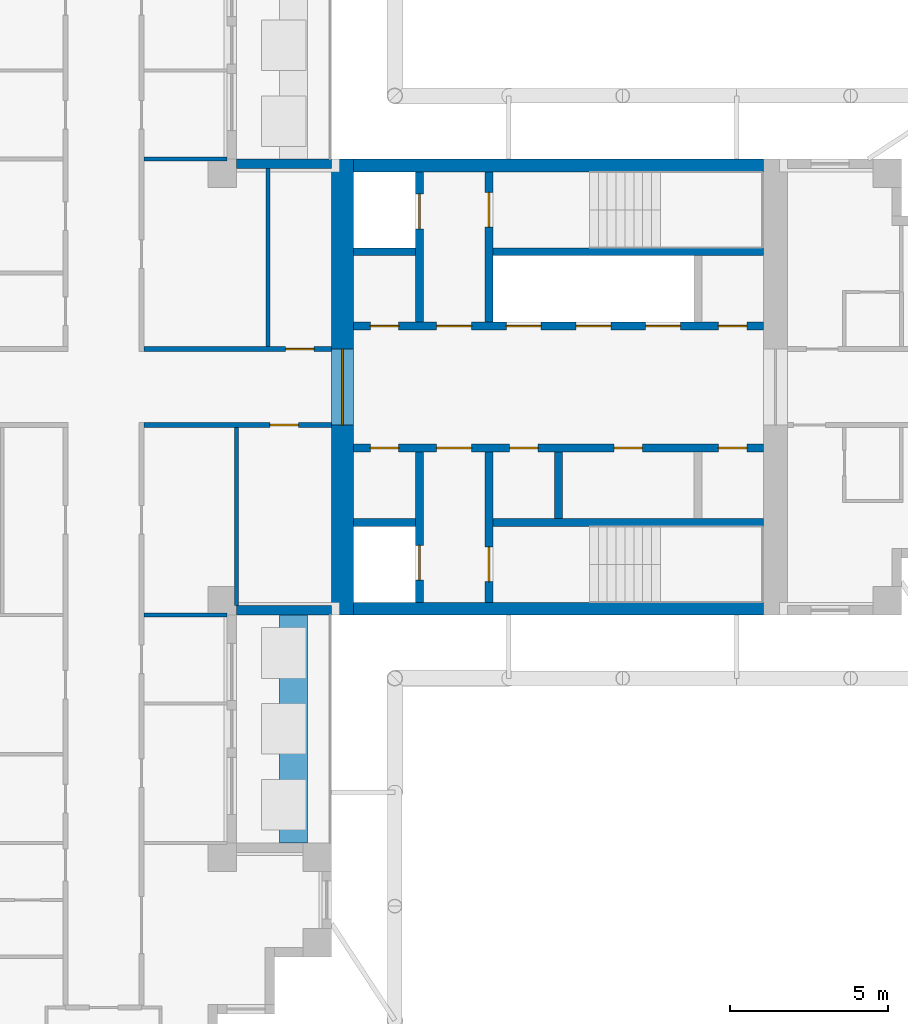
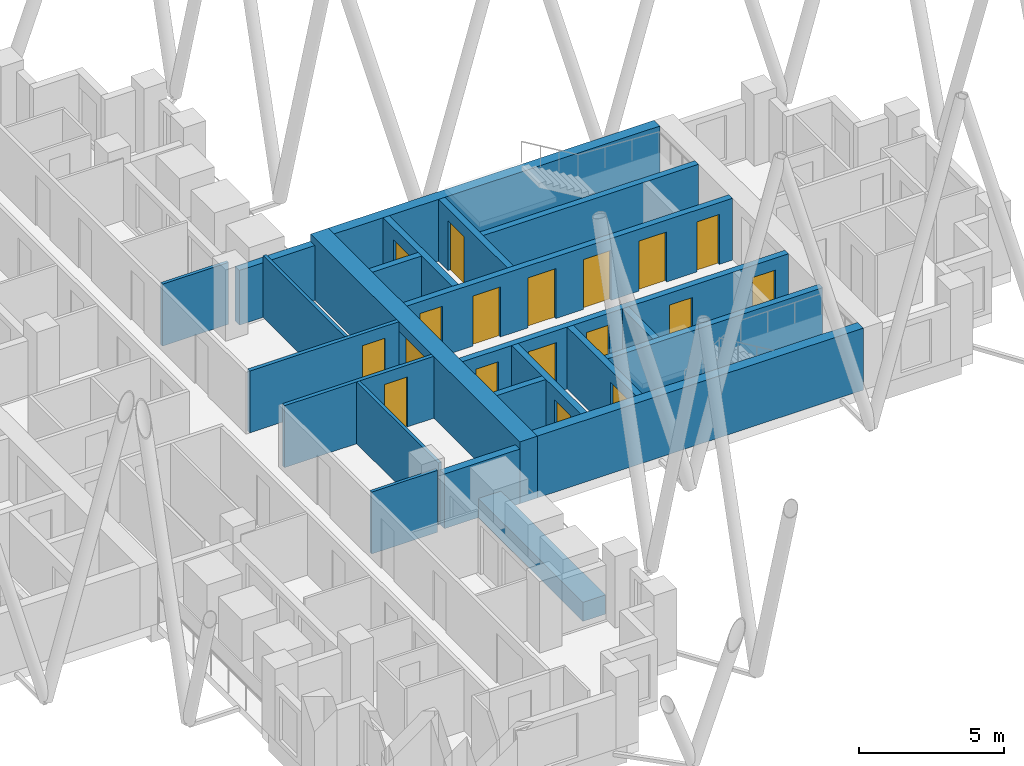
# One storey, part 6 of 11: 23 walls, 18 doors, 18 openings.
"""IFC4 building model written with IfcOpenShell, lengths in metres."""

import ifcopenshell
import ifcopenshell.guid

model = None  # the IFC model being written
_history = None  # IfcOwnerHistory: only IFC2X3 demands one
_inside = {}  # id of a spatial element -> (the spatial element, [elements in it])
_under = {}  # id of a project, library or spatial element -> (it, [spatial elements below it])
_declared = {}  # id of a project -> (the project, [libraries it declares])
_typed = {}  # id of a type object -> (the type object, [elements of that type])
_made_of = {}  # id of a material, layer set ... -> (it, [elements and type objects made of it])


def new_model(schema):
    """Start an empty IFC model of exactly this schema.

    Asked for "IFC4X3", IfcOpenShell would pick the latest addendum, in which some entities
    have other attributes; the version numbers below select the first issue.
    IFC2X3 requires an IfcOwnerHistory on every rooted entity: one is made here for all.
    """
    global model, _history
    if schema == "IFC4X3":
        model = ifcopenshell.file(schema_version=(4, 3, 0, 0))
    else:
        model = ifcopenshell.file(schema=schema)
    _inside.clear()
    _under.clear()
    _declared.clear()
    _typed.clear()
    _made_of.clear()
    _history = None
    if model.schema == "IFC2X3":
        org = make("IfcOrganization", Name="unknown")
        user = make(
            "IfcPersonAndOrganization",
            ThePerson=make("IfcPerson", FamilyName="unknown"),
            TheOrganization=org,
        )
        app = make(
            "IfcApplication",
            ApplicationDeveloper=org,
            Version="unknown",
            ApplicationFullName="unknown",
            ApplicationIdentifier="unknown",
        )
        _history = make(
            "IfcOwnerHistory",
            OwningUser=user,
            OwningApplication=app,
            ChangeAction="ADDED",
            CreationDate=0,
        )
    return model


def make(cls, **values):
    """One entity of the class cls with the attributes given. An attribute that is None is left unset."""
    return model.create_entity(
        cls, **{name: value for name, value in values.items() if value is not None}
    )


def rooted(cls, **values):
    """An entity with a GlobalId (a new one), such as an element, a storey or a relation."""
    return make(cls, GlobalId=ifcopenshell.guid.new(), OwnerHistory=_history, **values)


def si_unit(unit_type, name, prefix=None):
    """IfcSIUnit, for example si_unit("LENGTHUNIT", "METRE", prefix="MILLI")."""
    return make("IfcSIUnit", UnitType=unit_type, Prefix=prefix, Name=name)


def assignment(units):
    """IfcUnitAssignment: the units of a project."""
    return None if units is None else make("IfcUnitAssignment", Units=units)


def point(xyz):
    """IfcCartesianPoint."""
    return None if xyz is None else make("IfcCartesianPoint", Coordinates=xyz)


def direction(xyz):
    """IfcDirection."""
    return None if xyz is None else make("IfcDirection", DirectionRatios=xyz)


def frame(location, z_axis=None, x_axis=None):
    """IfcAxis2Placement3D, a coordinate frame: its origin and axes. An axis left out is left unset."""
    return make(
        "IfcAxis2Placement3D",
        Location=point(location),
        Axis=direction(z_axis),
        RefDirection=direction(x_axis),
    )


def frame_2d(location, x_axis=None):
    """IfcAxis2Placement2D, a coordinate frame in the plane: its origin and x axis."""
    return make(
        "IfcAxis2Placement2D", Location=point(location), RefDirection=direction(x_axis)
    )


def origin():
    """The frame at (0, 0, 0) with its axes left unset."""
    return frame((0.0, 0.0, 0.0))


def place(relative_to, where):
    """IfcLocalPlacement: puts the frame where relative to a parent placement (None: the world)."""
    return make(
        "IfcLocalPlacement", PlacementRelTo=relative_to, RelativePlacement=where
    )


def context(
    kind, dimensions, precision=None, world=None, true_north=None, identifier=None
):
    """IfcGeometricRepresentationContext, for example the 3D "Model" context."""
    return make(
        "IfcGeometricRepresentationContext",
        ContextIdentifier=identifier,
        ContextType=kind,
        CoordinateSpaceDimension=dimensions,
        Precision=precision,
        WorldCoordinateSystem=world,
        TrueNorth=true_north,
    )


def subcontext(parent, identifier, kind, view, scale=None):
    """IfcGeometricRepresentationSubContext, for example "Body" below "Model"."""
    return make(
        "IfcGeometricRepresentationSubContext",
        ContextIdentifier=identifier,
        ContextType=kind,
        ParentContext=parent,
        TargetScale=scale,
        TargetView=view,
    )


def project(units=None, contexts=None):
    """IfcProject with its units and contexts."""
    return rooted(
        "IfcProject",
        Name="project",
        RepresentationContexts=contexts,
        UnitsInContext=assignment(units),
    )


def spatial(cls, under=None, at=None, **own):
    """A site, building, storey or space (cls), placed at a placement, below another one or the project."""
    s = rooted(cls, ObjectPlacement=at, **own)
    if under is not None:
        _under.setdefault(under.id(), (under, []))[1].append(s)
    return s


def profile(cls, at=None, kind="AREA", **sizes):
    """A parametric profile (cls). Its sizes go by their IFC names, for example OverallWidth=200.0."""
    return make(cls, ProfileType=kind, Position=at, **sizes)


def rectangle(**sizes):
    """IfcRectangleProfileDef."""
    return profile("IfcRectangleProfileDef", **sizes)


def extrude(swept, where, along, depth):
    """IfcExtrudedAreaSolid: the profile swept, set in the frame where, extruded along a direction by depth."""
    return make(
        "IfcExtrudedAreaSolid",
        SweptArea=swept,
        Position=where,
        ExtrudedDirection=direction(along),
        Depth=depth,
    )


def shape(context_of_items, identifier, shape_type, items):
    """IfcShapeRepresentation: the items that make up one representation, for example the "Body"."""
    return make(
        "IfcShapeRepresentation",
        ContextOfItems=context_of_items,
        RepresentationIdentifier=identifier,
        RepresentationType=shape_type,
        Items=items,
    )


def material(Name=None, Category=None):
    """IfcMaterial."""
    return make("IfcMaterial", Name=Name, Category=Category)


def layer(
    of_material, thickness, ventilated=None, Name=None, Category=None, Priority=None
):
    """IfcMaterialLayer: one layer of a wall or slab, of a material (None: an air gap)."""
    return make(
        "IfcMaterialLayer",
        Material=of_material,
        LayerThickness=thickness,
        IsVentilated=ventilated,
        Name=Name,
        Category=Category,
        Priority=Priority,
    )


def layer_set(layers, Name=None):
    """IfcMaterialLayerSet."""
    return make("IfcMaterialLayerSet", MaterialLayers=layers, LayerSetName=Name)


def made_of(thing, what):
    """Note that an element or type object is made of a material, layer set ...; save() writes the relation."""
    if what is not None:
        _made_of.setdefault(what.id(), (what, []))[1].append(thing)
    return thing


def type_object(cls, material=None, **own):
    """A type object (cls), such as IfcWallType, which elements share."""
    return made_of(rooted(cls, **own), material)


def element(
    cls,
    number,
    at=None,
    inside=None,
    cuts=None,
    type_object=None,
    material=None,
    context=None,
    identifier="Body",
    shape_type=None,
    held_by="IfcProductDefinitionShape",
    body=None,
    shapes=None,
    **own,
):
    """One element of the class cls, such as IfcWall. Its Tag is "e" and its number.

    at: its placement. inside: the storey or other place that contains it. cuts: it is an
    opening in that element (IfcRelVoidsElement). A single representation is given by context,
    identifier, shape_type and body (its items); several are given by shapes. held_by: the class
    of the entity that holds the representations. save() writes the other relations.
    """
    e = rooted(cls, Tag="e%d" % number, ObjectPlacement=at, **own)
    if body is not None:
        shapes = [shape(context, identifier, shape_type, body)]
    if shapes is not None:
        e.Representation = make(held_by, Representations=shapes)
    if inside is not None:
        _inside.setdefault(inside.id(), (inside, []))[1].append(e)
    if cuts is not None:
        rooted(
            "IfcRelVoidsElement", RelatingBuildingElement=cuts, RelatedOpeningElement=e
        )
    if type_object is not None:
        _typed.setdefault(type_object.id(), (type_object, []))[1].append(e)
    return made_of(e, material)


def fill(opening, filler):
    """IfcRelFillsElement: the door or window that sits in an opening."""
    return rooted(
        "IfcRelFillsElement",
        RelatingOpeningElement=opening,
        RelatedBuildingElement=filler,
    )


def aggregate(whole, parts):
    """IfcRelAggregates: a whole, such as a stair, and the parts it consists of."""
    return rooted("IfcRelAggregates", RelatingObject=whole, RelatedObjects=parts)


def save(model, path):
    """Write the relations noted so far, then the file.

    IfcRelAggregates (storeys below a building ...), IfcRelContainedInSpatialStructure (elements
    in a storey), IfcRelDefinesByType, IfcRelAssociatesMaterial and IfcRelDeclares: one each for
    every whole, place, type object, material and project.
    """
    for whole, parts in _under.values():
        aggregate(whole, parts)
    for where, things in _inside.values():
        rooted(
            "IfcRelContainedInSpatialStructure",
            RelatedElements=things,
            RelatingStructure=where,
        )
    for kind, things in _typed.values():
        rooted("IfcRelDefinesByType", RelatedObjects=things, RelatingType=kind)
    for what, things in _made_of.values():
        rooted("IfcRelAssociatesMaterial", RelatedObjects=things, RelatingMaterial=what)
    for by, libraries in _declared.values():
        rooted("IfcRelDeclares", RelatingContext=by, RelatedDefinitions=libraries)
    model.write(path)


model = new_model("IFC4")

# Units and contexts
model_context = context("Model", 3, precision=1e-05, world=origin(), true_north=direction((0.0, 1.0)))
body_context = subcontext(model_context, "Body", "Model", "MODEL_VIEW")
ifc_project = project(units=[si_unit("LENGTHUNIT", "METRE"), si_unit("AREAUNIT", "SQUARE_METRE"), si_unit("VOLUMEUNIT", "CUBIC_METRE"), si_unit("PLANEANGLEUNIT", "RADIAN"), si_unit("MASSUNIT", "GRAM", prefix="KILO")], contexts=[model_context])

# Site, building, storey
site_placement = place(None, origin())
site = spatial("IfcSite", under=ifc_project, at=site_placement, CompositionType="ELEMENT")
building_placement = place(site_placement, origin())
building = spatial("IfcBuilding", under=site, at=building_placement, Name="Fustian Cross Tower", CompositionType="ELEMENT")
storey_placement = place(building_placement, frame((0.0, 0.0, 234.89990234375)))
storey = spatial("IfcBuildingStorey", under=building, at=storey_placement, Name="L74", CompositionType="ELEMENT", Elevation=234.89990234375)

# Wall, opening, door
ifc_material_1 = material(Name="Plasterboard on steel stud", Category="steel")
ifc_layer_1 = layer(ifc_material_1, 0.14990234375)
ifc_layer_set_1 = layer_set([ifc_layer_1], Name="Plasterboard on steel stud")
wall_type_1 = type_object("IfcWallType", Name="COMPARTMENT WALL 150 EI 60", PredefinedType="PARTITIONING", material=ifc_layer_set_1)
wall_1_placement = place(storey_placement, frame((1.27490234375, -1.199951171875, 0.0), z_axis=(0.0, 0.0, 1.0), x_axis=(1.0, 0.0, 0.0)))
wall_1 = element("IfcWall", 1, at=wall_1_placement, inside=storey, type_object=wall_type_1, Name="Partition 47", PredefinedType="PARTITIONING", context=body_context, shape_type="SweptSolid", body=[
    extrude(rectangle(XDim=5.925048828125, YDim=0.14990234375, at=frame_2d((2.96240234375, 0.0))), origin(), (0.0, 0.0, 1.0), 2.60009765625),
])
opening_1_placement = place(wall_1_placement, frame((3.97509765625, 0.0, 0.0)))
opening_1 = element("IfcOpeningElement", 2, at=opening_1_placement, cuts=wall_1, Name="Opening D33007", PredefinedType="OPENING", context=body_context, shape_type="SweptSolid", body=[
    extrude(rectangle(XDim=0.89990234375, YDim=2.10009765625, at=frame_2d((0.449951171875, 1.050048828125))), frame((0.0, 0.0849609375, 0.0), z_axis=(0.0, -1.0, 0.0), x_axis=(1.0, 0.0, 0.0)), (0.0, 0.0, 1.0), 0.169921875),
])
ifc_material_2 = material(Name="Timber fire door set", Category="wood")
door_type_1 = type_object("IfcDoorType", Name="FIRE SWING DOOR 900 FD30S", OperationType="SINGLE_SWING_LEFT", PredefinedType="DOOR", material=ifc_material_2)
door_1_placement = place(opening_1_placement, frame((0.89990234375, 0.0, 0.0), z_axis=(0.0, 0.0, 1.0), x_axis=(-1.0, 0.0, 0.0)))
door_1 = element("IfcDoor", 3, at=door_1_placement, inside=storey, type_object=door_type_1, Name="Door D33007", OperationType="SINGLE_SWING_LEFT", OverallHeight=2.10009765625, OverallWidth=0.89990234375, PredefinedType="DOOR", context=body_context, shape_type="SweptSolid", body=[
    extrude(rectangle(XDim=0.89990234375, YDim=2.10009765625, at=frame_2d((0.449951171875, 1.050048828125))), frame((0.0, 0.02490234375, 0.0), z_axis=(0.0, -1.0, 0.0), x_axis=(1.0, 0.0, 0.0)), (0.0, 0.0, 1.0), 0.050048828125),
])
fill(opening_1, door_1)

wall_2_placement = place(storey_placement, frame((1.27490234375, 1.199951171875, 0.0), z_axis=(0.0, 0.0, 1.0), x_axis=(1.0, 0.0, 0.0)))
wall_2 = element("IfcWall", 4, at=wall_2_placement, inside=storey, type_object=wall_type_1, Name="Partition 49", PredefinedType="PARTITIONING", context=body_context, shape_type="SweptSolid", body=[
    extrude(rectangle(XDim=5.925048828125, YDim=0.14990234375, at=frame_2d((2.96240234375, 0.0))), origin(), (0.0, 0.0, 1.0), 2.60009765625),
])
opening_2_placement = place(wall_2_placement, frame((4.47509765625, 0.0, 0.0)))
opening_2 = element("IfcOpeningElement", 5, at=opening_2_placement, cuts=wall_2, Name="Opening D33002", PredefinedType="OPENING", context=body_context, shape_type="SweptSolid", body=[
    extrude(rectangle(XDim=0.89990234375, YDim=2.10009765625, at=frame_2d((0.449951171875, 1.050048828125))), frame((0.0, 0.0849609375, 0.0), z_axis=(0.0, -1.0, 0.0), x_axis=(1.0, 0.0, 0.0)), (0.0, 0.0, 1.0), 0.169921875),
])
door_2_placement = place(opening_2_placement, origin())
door_2 = element("IfcDoor", 6, at=door_2_placement, inside=storey, type_object=door_type_1, Name="Door D33002", OperationType="SINGLE_SWING_LEFT", OverallHeight=2.10009765625, OverallWidth=0.89990234375, PredefinedType="DOOR", context=body_context, shape_type="SweptSolid", body=[
    extrude(rectangle(XDim=0.89990234375, YDim=2.10009765625, at=frame_2d((0.449951171875, 1.050048828125))), frame((0.0, 0.02490234375, 0.0), z_axis=(0.0, -1.0, 0.0), x_axis=(1.0, 0.0, 0.0)), (0.0, 0.0, 1.0), 0.050048828125),
])
fill(opening_2, door_2)

ifc_material_3 = material(Name="Concrete C50/60", Category="concrete")
ifc_layer_2 = layer(ifc_material_3, 0.699951171875)
ifc_layer_set_2 = layer_set([ifc_layer_2], Name="Concrete C50/60")
wall_type_2 = type_object("IfcWallType", Name="CORE END WALL 700 C50/60", PredefinedType="SHEAR", material=ifc_layer_set_2)
wall_3_placement = place(storey_placement, frame((7.550048828125, -7.199951171875, 0.0), z_axis=(0.0, 0.0, 1.0), x_axis=(0.0, 1.0, 0.0)))
wall_3 = element("IfcWall", 7, at=wall_3_placement, inside=storey, type_object=wall_type_2, Name="Core end wall", PredefinedType="SHEAR", context=body_context, shape_type="SweptSolid", body=[
    extrude(rectangle(XDim=14.39990234375, YDim=0.699951171875, at=frame_2d((7.199951171875, 0.0))), origin(), (0.0, 0.0, 1.0), 2.60009765625),
])
opening_3_placement = place(wall_3_placement, frame((6.0, 0.0, 0.0)))
opening_3 = element("IfcOpeningElement", 8, at=opening_3_placement, cuts=wall_3, Name="Opening CD-28-12", PredefinedType="OPENING", context=body_context, shape_type="SweptSolid", body=[
    extrude(rectangle(XDim=2.39990234375, YDim=2.199951171875, at=frame_2d((1.199951171875, 1.10009765625))), frame((0.0, 0.35986328125, 0.0), z_axis=(0.0, -1.0, 0.0), x_axis=(1.0, 0.0, 0.0)), (0.0, 0.0, 1.0), 0.719970703125),
])
ifc_material_4 = material(Name="Steel", Category="steel")
door_type_2 = type_object("IfcDoorType", Name="FIRE DOOR FD30S DOUBLE 2400X2200", OperationType="DOUBLE_DOOR_DOUBLE_SWING", PredefinedType="DOOR", material=ifc_material_4)
door_3_placement = place(opening_3_placement, frame((2.39990234375, 0.0, 0.0), z_axis=(0.0, 0.0, 1.0), x_axis=(-1.0, 0.0, 0.0)))
door_3 = element("IfcDoor", 9, at=door_3_placement, inside=storey, type_object=door_type_2, Name="Core door CD-28-12", OperationType="DOUBLE_DOOR_DOUBLE_SWING", OverallHeight=2.199951171875, OverallWidth=2.39990234375, PredefinedType="DOOR", context=body_context, shape_type="SweptSolid", body=[
    extrude(rectangle(XDim=2.39990234375, YDim=2.199951171875, at=frame_2d((1.199951171875, 1.10009765625))), frame((0.0, 0.02490234375, 0.0), z_axis=(0.0, -1.0, 0.0), x_axis=(1.0, 0.0, 0.0)), (0.0, 0.0, 1.0), 0.050048828125),
])
fill(opening_3, door_3)

# Walls
ifc_material_5 = material(Name="Concrete C50/60", Category="concrete")
ifc_layer_3 = layer(ifc_material_5, 0.39990234375)
ifc_layer_set_3 = layer_set([ifc_layer_3], Name="Concrete C50/60")
wall_type_3 = type_object("IfcWallType", Name="CORE FACADE WALL 400 C50/60", PredefinedType="SHEAR", material=ifc_layer_set_3)
for number, where, z_axis, x_axis, name in (
    (10, (7.89990234375, 7.0, 0.0), (0.0, 0.0, 1.0), (1.0, 0.0, 0.0), "Core facade wall"),
    (11, (7.89990234375, -7.0, 0.0), (0.0, 0.0, 1.0), (1.0, 0.0, 0.0), "Core facade wall"),
):
    element("IfcWall", number, at=place(storey_placement, frame(where, z_axis=z_axis, x_axis=x_axis)), inside=storey, type_object=wall_type_3, Name=name, PredefinedType="SHEAR", context=body_context, shape_type="SweptSolid", body=[
        extrude(rectangle(XDim=12.9501953125, YDim=0.39990234375, at=frame_2d((6.47509765625, 0.0))), origin(), (0.0, 0.0, 1.0), 2.60009765625),
    ])

# Wall, openings, doors
ifc_material_6 = material(Name="Concrete C50/60", Category="concrete")
ifc_layer_4 = layer(ifc_material_6, 0.25)
ifc_layer_set_4 = layer_set([ifc_layer_4], Name="Concrete C50/60")
wall_type_4 = type_object("IfcWallType", Name="CORE LOBBY WALL 250 C50/60", PredefinedType="SHEAR", material=ifc_layer_set_4)
wall_4_placement = place(storey_placement, frame((7.89990234375, 1.925048828125, 0.0), z_axis=(0.0, 0.0, 1.0), x_axis=(1.0, 0.0, 0.0)))
wall_4 = element("IfcWall", 12, at=wall_4_placement, inside=storey, type_object=wall_type_4, Name="Core lobby wall", PredefinedType="SHEAR", context=body_context, shape_type="SweptSolid", body=[
    extrude(rectangle(XDim=12.9501953125, YDim=0.25, at=frame_2d((6.47509765625, 0.0))), origin(), (0.0, 0.0, 1.0), 2.60009765625),
])
opening_4_placement = place(wall_4_placement, frame((4.824951171875, 0.0, 0.0)))
opening_4 = element("IfcOpeningElement", 13, at=opening_4_placement, cuts=wall_4, Name="Opening LD", PredefinedType="OPENING", context=body_context, shape_type="SweptSolid", body=[
    extrude(rectangle(XDim=1.10009765625, YDim=2.10009765625, at=frame_2d((0.550048828125, 1.050048828125))), frame((0.0, 0.135009765625, 0.0), z_axis=(0.0, -1.0, 0.0), x_axis=(1.0, 0.0, 0.0)), (0.0, 0.0, 1.0), 0.27001953125),
])
opening_5_placement = place(wall_4_placement, frame((7.02490234375, 0.0, 0.0)))
opening_5 = element("IfcOpeningElement", 14, at=opening_5_placement, cuts=wall_4, Name="Opening LD", PredefinedType="OPENING", context=body_context, shape_type="SweptSolid", body=[
    extrude(rectangle(XDim=1.10009765625, YDim=2.10009765625, at=frame_2d((0.550048828125, 1.050048828125))), frame((0.0, 0.135009765625, 0.0), z_axis=(0.0, -1.0, 0.0), x_axis=(1.0, 0.0, 0.0)), (0.0, 0.0, 1.0), 0.27001953125),
])
opening_6_placement = place(wall_4_placement, frame((9.22509765625, 0.0, 0.0)))
opening_6 = element("IfcOpeningElement", 15, at=opening_6_placement, cuts=wall_4, Name="Opening LD", PredefinedType="OPENING", context=body_context, shape_type="SweptSolid", body=[
    extrude(rectangle(XDim=1.10009765625, YDim=2.10009765625, at=frame_2d((0.550048828125, 1.050048828125))), frame((0.0, 0.135009765625, 0.0), z_axis=(0.0, -1.0, 0.0), x_axis=(1.0, 0.0, 0.0)), (0.0, 0.0, 1.0), 0.27001953125),
])
opening_7_placement = place(wall_4_placement, frame((0.52490234375, 0.0, 0.0)))
opening_7 = element("IfcOpeningElement", 16, at=opening_7_placement, cuts=wall_4, Name="Opening CD-28-08", PredefinedType="OPENING", context=body_context, shape_type="SweptSolid", body=[
    extrude(rectangle(XDim=0.89990234375, YDim=2.10009765625, at=frame_2d((0.449951171875, 1.050048828125))), frame((0.0, 0.135009765625, 0.0), z_axis=(0.0, -1.0, 0.0), x_axis=(1.0, 0.0, 0.0)), (0.0, 0.0, 1.0), 0.27001953125),
])
opening_8_placement = place(wall_4_placement, frame((2.625, 0.0, 0.0)))
opening_8 = element("IfcOpeningElement", 17, at=opening_8_placement, cuts=wall_4, Name="Opening CD-28-10", PredefinedType="OPENING", context=body_context, shape_type="SweptSolid", body=[
    extrude(rectangle(XDim=1.10009765625, YDim=2.10009765625, at=frame_2d((0.550048828125, 1.050048828125))), frame((0.0, 0.135009765625, 0.0), z_axis=(0.0, -1.0, 0.0), x_axis=(1.0, 0.0, 0.0)), (0.0, 0.0, 1.0), 0.27001953125),
])
opening_9_placement = place(wall_4_placement, frame((11.52490234375, 0.0, 0.0)))
opening_9 = element("IfcOpeningElement", 18, at=opening_9_placement, cuts=wall_4, Name="Opening CD-28-14", PredefinedType="OPENING", context=body_context, shape_type="SweptSolid", body=[
    extrude(rectangle(XDim=0.89990234375, YDim=2.10009765625, at=frame_2d((0.449951171875, 1.050048828125))), frame((0.0, 0.135009765625, 0.0), z_axis=(0.0, -1.0, 0.0), x_axis=(1.0, 0.0, 0.0)), (0.0, 0.0, 1.0), 0.27001953125),
])
ifc_material_7 = material(Name="Steel", Category="steel")
door_type_3 = type_object("IfcDoorType", Name="FIRE DOOR FD30S 900X2100", OperationType="SINGLE_SWING_LEFT", PredefinedType="DOOR", material=ifc_material_7)
door_4_placement = place(opening_9_placement, origin())
door_4 = element("IfcDoor", 19, at=door_4_placement, inside=storey, type_object=door_type_3, Name="Core door CD-28-14", OperationType="SINGLE_SWING_LEFT", OverallHeight=2.10009765625, OverallWidth=0.89990234375, PredefinedType="DOOR", context=body_context, shape_type="SweptSolid", body=[
    extrude(rectangle(XDim=0.89990234375, YDim=2.10009765625, at=frame_2d((0.449951171875, 1.050048828125))), frame((0.0, 0.02490234375, 0.0), z_axis=(0.0, -1.0, 0.0), x_axis=(1.0, 0.0, 0.0)), (0.0, 0.0, 1.0), 0.050048828125),
])
fill(opening_9, door_4)
ifc_material_8 = material(Name="Steel", Category="steel")
door_type_4 = type_object("IfcDoorType", Name="FIRE DOOR FD60S 1100X2100", OperationType="SINGLE_SWING_LEFT", PredefinedType="DOOR", material=ifc_material_8)
door_5_placement = place(opening_8_placement, frame((1.10009765625, 0.0, 0.0), z_axis=(0.0, 0.0, 1.0), x_axis=(-1.0, 0.0, 0.0)))
door_5 = element("IfcDoor", 20, at=door_5_placement, inside=storey, type_object=door_type_4, Name="Core door CD-28-10", OperationType="SINGLE_SWING_RIGHT", OverallHeight=2.10009765625, OverallWidth=1.10009765625, PredefinedType="DOOR", context=body_context, shape_type="SweptSolid", body=[
    extrude(rectangle(XDim=1.10009765625, YDim=2.10009765625, at=frame_2d((0.550048828125, 1.050048828125))), frame((0.0, 0.02490234375, 0.0), z_axis=(0.0, -1.0, 0.0), x_axis=(1.0, 0.0, 0.0)), (0.0, 0.0, 1.0), 0.050048828125),
])
fill(opening_8, door_5)
ifc_material_9 = material(Name="Steel", Category="steel")
door_type_5 = type_object("IfcDoorType", Name="FIRE DOOR FD60S 900X2100", OperationType="SINGLE_SWING_LEFT", PredefinedType="DOOR", material=ifc_material_9)
door_6_placement = place(opening_7_placement, origin())
door_6 = element("IfcDoor", 21, at=door_6_placement, inside=storey, type_object=door_type_5, Name="Core door CD-28-08", OperationType="SINGLE_SWING_LEFT", OverallHeight=2.10009765625, OverallWidth=0.89990234375, PredefinedType="DOOR", context=body_context, shape_type="SweptSolid", body=[
    extrude(rectangle(XDim=0.89990234375, YDim=2.10009765625, at=frame_2d((0.449951171875, 1.050048828125))), frame((0.0, 0.02490234375, 0.0), z_axis=(0.0, -1.0, 0.0), x_axis=(1.0, 0.0, 0.0)), (0.0, 0.0, 1.0), 0.050048828125),
])
fill(opening_7, door_6)
ifc_material_10 = material(Name="Stainless steel", Category="steel")
door_type_6 = type_object("IfcDoorType", Name="LIFT LANDING DOOR 1100X2100", OperationType="SLIDING_TO_LEFT", PredefinedType="DOOR", material=ifc_material_10)
door_7_placement = place(opening_4_placement, origin())
door_7 = element("IfcDoor", 22, at=door_7_placement, inside=storey, type_object=door_type_6, Name="Landing door HR1", OperationType="SLIDING_TO_LEFT", OverallHeight=2.10009765625, OverallWidth=1.10009765625, PredefinedType="DOOR", context=body_context, shape_type="SweptSolid", body=[
    extrude(rectangle(XDim=1.10009765625, YDim=2.10009765625, at=frame_2d((0.550048828125, 1.050048828125))), frame((0.0, 0.02490234375, 0.0), z_axis=(0.0, -1.0, 0.0), x_axis=(1.0, 0.0, 0.0)), (0.0, 0.0, 1.0), 0.050048828125),
])
fill(opening_4, door_7)
door_8_placement = place(opening_5_placement, origin())
door_8 = element("IfcDoor", 23, at=door_8_placement, inside=storey, type_object=door_type_6, Name="Landing door HR2", OperationType="SLIDING_TO_LEFT", OverallHeight=2.10009765625, OverallWidth=1.10009765625, PredefinedType="DOOR", context=body_context, shape_type="SweptSolid", body=[
    extrude(rectangle(XDim=1.10009765625, YDim=2.10009765625, at=frame_2d((0.550048828125, 1.050048828125))), frame((0.0, 0.02490234375, 0.0), z_axis=(0.0, -1.0, 0.0), x_axis=(1.0, 0.0, 0.0)), (0.0, 0.0, 1.0), 0.050048828125),
])
fill(opening_5, door_8)
door_9_placement = place(opening_6_placement, origin())
door_9 = element("IfcDoor", 24, at=door_9_placement, inside=storey, type_object=door_type_6, Name="Landing door HR3", OperationType="SLIDING_TO_LEFT", OverallHeight=2.10009765625, OverallWidth=1.10009765625, PredefinedType="DOOR", context=body_context, shape_type="SweptSolid", body=[
    extrude(rectangle(XDim=1.10009765625, YDim=2.10009765625, at=frame_2d((0.550048828125, 1.050048828125))), frame((0.0, 0.02490234375, 0.0), z_axis=(0.0, -1.0, 0.0), x_axis=(1.0, 0.0, 0.0)), (0.0, 0.0, 1.0), 0.050048828125),
])
fill(opening_6, door_9)

wall_5_placement = place(storey_placement, frame((7.89990234375, -1.925048828125, 0.0), z_axis=(0.0, 0.0, 1.0), x_axis=(1.0, 0.0, 0.0)))
wall_5 = element("IfcWall", 25, at=wall_5_placement, inside=storey, type_object=wall_type_4, Name="Core lobby wall", PredefinedType="SHEAR", context=body_context, shape_type="SweptSolid", body=[
    extrude(rectangle(XDim=12.9501953125, YDim=0.25, at=frame_2d((6.47509765625, 0.0))), origin(), (0.0, 0.0, 1.0), 2.60009765625),
])
opening_10_placement = place(wall_5_placement, frame((0.52490234375, 0.0, 0.0)))
opening_10 = element("IfcOpeningElement", 26, at=opening_10_placement, cuts=wall_5, Name="Opening CD-28-09", PredefinedType="OPENING", context=body_context, shape_type="SweptSolid", body=[
    extrude(rectangle(XDim=0.89990234375, YDim=2.10009765625, at=frame_2d((0.449951171875, 1.050048828125))), frame((0.0, 0.135009765625, 0.0), z_axis=(0.0, -1.0, 0.0), x_axis=(1.0, 0.0, 0.0)), (0.0, 0.0, 1.0), 0.27001953125),
])
opening_11_placement = place(wall_5_placement, frame((2.625, 0.0, 0.0)))
opening_11 = element("IfcOpeningElement", 27, at=opening_11_placement, cuts=wall_5, Name="Opening CD-28-11", PredefinedType="OPENING", context=body_context, shape_type="SweptSolid", body=[
    extrude(rectangle(XDim=1.10009765625, YDim=2.10009765625, at=frame_2d((0.550048828125, 1.050048828125))), frame((0.0, 0.135009765625, 0.0), z_axis=(0.0, -1.0, 0.0), x_axis=(1.0, 0.0, 0.0)), (0.0, 0.0, 1.0), 0.27001953125),
])
opening_12_placement = place(wall_5_placement, frame((4.925048828125, 0.0, 0.0)))
opening_12 = element("IfcOpeningElement", 28, at=opening_12_placement, cuts=wall_5, Name="Opening CD-28-15", PredefinedType="OPENING", context=body_context, shape_type="SweptSolid", body=[
    extrude(rectangle(XDim=0.89990234375, YDim=2.10009765625, at=frame_2d((0.449951171875, 1.050048828125))), frame((0.0, 0.135009765625, 0.0), z_axis=(0.0, -1.0, 0.0), x_axis=(1.0, 0.0, 0.0)), (0.0, 0.0, 1.0), 0.27001953125),
])
opening_13_placement = place(wall_5_placement, frame((8.22509765625, 0.0, 0.0)))
opening_13 = element("IfcOpeningElement", 29, at=opening_13_placement, cuts=wall_5, Name="Opening CD-28-16", PredefinedType="OPENING", context=body_context, shape_type="SweptSolid", body=[
    extrude(rectangle(XDim=0.89990234375, YDim=2.10009765625, at=frame_2d((0.449951171875, 1.050048828125))), frame((0.0, 0.135009765625, 0.0), z_axis=(0.0, -1.0, 0.0), x_axis=(1.0, 0.0, 0.0)), (0.0, 0.0, 1.0), 0.27001953125),
])
opening_14_placement = place(wall_5_placement, frame((11.52490234375, 0.0, 0.0)))
opening_14 = element("IfcOpeningElement", 30, at=opening_14_placement, cuts=wall_5, Name="Opening CD-28-17", PredefinedType="OPENING", context=body_context, shape_type="SweptSolid", body=[
    extrude(rectangle(XDim=0.89990234375, YDim=2.10009765625, at=frame_2d((0.449951171875, 1.050048828125))), frame((0.0, 0.135009765625, 0.0), z_axis=(0.0, -1.0, 0.0), x_axis=(1.0, 0.0, 0.0)), (0.0, 0.0, 1.0), 0.27001953125),
])
ifc_material_11 = material(Name="Steel", Category="steel")
door_type_7 = type_object("IfcDoorType", Name="FIRE DOOR FD30S 1100X2100", OperationType="SINGLE_SWING_LEFT", PredefinedType="DOOR", material=ifc_material_11)
door_10_placement = place(opening_11_placement, frame((1.10009765625, 0.0, 0.0), z_axis=(0.0, 0.0, 1.0), x_axis=(-1.0, 0.0, 0.0)))
door_10 = element("IfcDoor", 31, at=door_10_placement, inside=storey, type_object=door_type_7, Name="Core door CD-28-11", OperationType="SINGLE_SWING_RIGHT", OverallHeight=2.10009765625, OverallWidth=1.10009765625, PredefinedType="DOOR", context=body_context, shape_type="SweptSolid", body=[
    extrude(rectangle(XDim=1.10009765625, YDim=2.10009765625, at=frame_2d((0.550048828125, 1.050048828125))), frame((0.0, 0.02490234375, 0.0), z_axis=(0.0, -1.0, 0.0), x_axis=(1.0, 0.0, 0.0)), (0.0, 0.0, 1.0), 0.050048828125),
])
fill(opening_11, door_10)
door_11_placement = place(opening_10_placement, frame((0.89990234375, 0.0, 0.0), z_axis=(0.0, 0.0, 1.0), x_axis=(-1.0, 0.0, 0.0)))
door_11 = element("IfcDoor", 32, at=door_11_placement, inside=storey, type_object=door_type_3, Name="Core door CD-28-09", OperationType="SINGLE_SWING_RIGHT", OverallHeight=2.10009765625, OverallWidth=0.89990234375, PredefinedType="DOOR", context=body_context, shape_type="SweptSolid", body=[
    extrude(rectangle(XDim=0.89990234375, YDim=2.10009765625, at=frame_2d((0.449951171875, 1.050048828125))), frame((0.0, 0.02490234375, 0.0), z_axis=(0.0, -1.0, 0.0), x_axis=(1.0, 0.0, 0.0)), (0.0, 0.0, 1.0), 0.050048828125),
])
fill(opening_10, door_11)
door_12_placement = place(opening_12_placement, frame((0.89990234375, 0.0, 0.0), z_axis=(0.0, 0.0, 1.0), x_axis=(-1.0, 0.0, 0.0)))
door_12 = element("IfcDoor", 33, at=door_12_placement, inside=storey, type_object=door_type_3, Name="Core door CD-28-15", OperationType="SINGLE_SWING_RIGHT", OverallHeight=2.10009765625, OverallWidth=0.89990234375, PredefinedType="DOOR", context=body_context, shape_type="SweptSolid", body=[
    extrude(rectangle(XDim=0.89990234375, YDim=2.10009765625, at=frame_2d((0.449951171875, 1.050048828125))), frame((0.0, 0.02490234375, 0.0), z_axis=(0.0, -1.0, 0.0), x_axis=(1.0, 0.0, 0.0)), (0.0, 0.0, 1.0), 0.050048828125),
])
fill(opening_12, door_12)
door_13_placement = place(opening_13_placement, frame((0.89990234375, 0.0, 0.0), z_axis=(0.0, 0.0, 1.0), x_axis=(-1.0, 0.0, 0.0)))
door_13 = element("IfcDoor", 34, at=door_13_placement, inside=storey, type_object=door_type_3, Name="Core door CD-28-16", OperationType="SINGLE_SWING_LEFT", OverallHeight=2.10009765625, OverallWidth=0.89990234375, PredefinedType="DOOR", context=body_context, shape_type="SweptSolid", body=[
    extrude(rectangle(XDim=0.89990234375, YDim=2.10009765625, at=frame_2d((0.449951171875, 1.050048828125))), frame((0.0, 0.02490234375, 0.0), z_axis=(0.0, -1.0, 0.0), x_axis=(1.0, 0.0, 0.0)), (0.0, 0.0, 1.0), 0.050048828125),
])
fill(opening_13, door_13)
door_14_placement = place(opening_14_placement, frame((0.89990234375, 0.0, 0.0), z_axis=(0.0, 0.0, 1.0), x_axis=(-1.0, 0.0, 0.0)))
door_14 = element("IfcDoor", 35, at=door_14_placement, inside=storey, type_object=door_type_3, Name="Core door CD-28-17", OperationType="SINGLE_SWING_RIGHT", OverallHeight=2.10009765625, OverallWidth=0.89990234375, PredefinedType="DOOR", context=body_context, shape_type="SweptSolid", body=[
    extrude(rectangle(XDim=0.89990234375, YDim=2.10009765625, at=frame_2d((0.449951171875, 1.050048828125))), frame((0.0, 0.02490234375, 0.0), z_axis=(0.0, -1.0, 0.0), x_axis=(1.0, 0.0, 0.0)), (0.0, 0.0, 1.0), 0.050048828125),
])
fill(opening_14, door_14)

# Walls
ifc_material_12 = material(Name="Concrete C50/60", Category="concrete")
ifc_layer_5 = layer(ifc_material_12, 0.25)
ifc_layer_set_5 = layer_set([ifc_layer_5], Name="Concrete C50/60")
wall_type_5 = type_object("IfcWallType", Name="CORE SHAFT WALL 250 C50/60", PredefinedType="SHEAR", material=ifc_layer_set_5)
wall_6_placement = place(storey_placement, frame((7.89990234375, 4.27490234375, 0.0), z_axis=(0.0, 0.0, 1.0), x_axis=(1.0, 0.0, 0.0)))
element("IfcWall", 36, at=wall_6_placement, inside=storey, type_object=wall_type_5, Name="Core shaft wall", PredefinedType="SHEAR", context=body_context, shape_type="SweptSolid", body=[
    extrude(rectangle(XDim=1.9501953125, YDim=0.25, at=frame_2d((0.97509765625, 0.0))), origin(), (0.0, 0.0, 1.0), 2.60009765625),
])
wall_7_placement = place(storey_placement, frame((12.300048828125, 4.27490234375, 0.0), z_axis=(0.0, 0.0, 1.0), x_axis=(1.0, 0.0, 0.0)))
element("IfcWall", 37, at=wall_7_placement, inside=storey, type_object=wall_type_5, Name="Core shaft wall", PredefinedType="SHEAR", context=body_context, shape_type="SweptSolid", body=[
    extrude(rectangle(XDim=8.550048828125, YDim=0.25, at=frame_2d((4.27490234375, 0.0))), origin(), (0.0, 0.0, 1.0), 2.60009765625),
])

# Wall, opening, door
wall_8_placement = place(storey_placement, frame((9.97509765625, 2.050048828125, 0.0), z_axis=(0.0, 0.0, 1.0), x_axis=(0.0, 1.0, 0.0)))
wall_8 = element("IfcWall", 38, at=wall_8_placement, inside=storey, type_object=wall_type_5, Name="Core shaft wall", PredefinedType="SHEAR", context=body_context, shape_type="SweptSolid", body=[
    extrude(rectangle(XDim=4.75, YDim=0.25, at=frame_2d((2.375, 0.0))), origin(), (0.0, 0.0, 1.0), 2.60009765625),
])
opening_15_placement = place(wall_8_placement, frame((2.949951171875, 0.0, 0.0)))
opening_15 = element("IfcOpeningElement", 39, at=opening_15_placement, cuts=wall_8, Name="Opening LD", PredefinedType="OPENING", context=body_context, shape_type="SweptSolid", body=[
    extrude(rectangle(XDim=1.10009765625, YDim=2.10009765625, at=frame_2d((0.550048828125, 1.050048828125))), frame((0.0, 0.135009765625, 0.0), z_axis=(0.0, -1.0, 0.0), x_axis=(1.0, 0.0, 0.0)), (0.0, 0.0, 1.0), 0.27001953125),
])
door_15_placement = place(opening_15_placement, origin())
door_15 = element("IfcDoor", 40, at=door_15_placement, inside=storey, type_object=door_type_6, Name="Landing door FL1", OperationType="SLIDING_TO_LEFT", OverallHeight=2.10009765625, OverallWidth=1.10009765625, PredefinedType="DOOR", context=body_context, shape_type="SweptSolid", body=[
    extrude(rectangle(XDim=1.10009765625, YDim=2.10009765625, at=frame_2d((0.550048828125, 1.050048828125))), frame((0.0, 0.02490234375, 0.0), z_axis=(0.0, -1.0, 0.0), x_axis=(1.0, 0.0, 0.0)), (0.0, 0.0, 1.0), 0.050048828125),
])
fill(opening_15, door_15)

wall_9_placement = place(storey_placement, frame((12.175048828125, 2.050048828125, 0.0), z_axis=(0.0, 0.0, 1.0), x_axis=(0.0, 1.0, 0.0)))
wall_9 = element("IfcWall", 41, at=wall_9_placement, inside=storey, type_object=wall_type_5, Name="Core shaft wall", PredefinedType="SHEAR", context=body_context, shape_type="SweptSolid", body=[
    extrude(rectangle(XDim=4.75, YDim=0.25, at=frame_2d((2.375, 0.0))), origin(), (0.0, 0.0, 1.0), 2.60009765625),
])
opening_16_placement = place(wall_9_placement, frame((3.0, 0.0, 0.0)))
opening_16 = element("IfcOpeningElement", 42, at=opening_16_placement, cuts=wall_9, Name="Opening CD-28-06", PredefinedType="OPENING", context=body_context, shape_type="SweptSolid", body=[
    extrude(rectangle(XDim=1.10009765625, YDim=2.10009765625, at=frame_2d((0.550048828125, 1.050048828125))), frame((0.0, 0.135009765625, 0.0), z_axis=(0.0, -1.0, 0.0), x_axis=(1.0, 0.0, 0.0)), (0.0, 0.0, 1.0), 0.27001953125),
])
door_16_placement = place(opening_16_placement, frame((1.10009765625, 0.0, 0.0), z_axis=(0.0, 0.0, 1.0), x_axis=(-1.0, 0.0, 0.0)))
door_16 = element("IfcDoor", 43, at=door_16_placement, inside=storey, type_object=door_type_4, Name="Core door CD-28-06", OperationType="SINGLE_SWING_RIGHT", OverallHeight=2.10009765625, OverallWidth=1.10009765625, PredefinedType="DOOR", context=body_context, shape_type="SweptSolid", body=[
    extrude(rectangle(XDim=1.10009765625, YDim=2.10009765625, at=frame_2d((0.550048828125, 1.050048828125))), frame((0.0, 0.02490234375, 0.0), z_axis=(0.0, -1.0, 0.0), x_axis=(1.0, 0.0, 0.0)), (0.0, 0.0, 1.0), 0.050048828125),
])
fill(opening_16, door_16)

# Walls
wall_10_placement = place(storey_placement, frame((7.89990234375, -4.27490234375, 0.0), z_axis=(0.0, 0.0, 1.0), x_axis=(1.0, 0.0, 0.0)))
element("IfcWall", 44, at=wall_10_placement, inside=storey, type_object=wall_type_5, Name="Core shaft wall", PredefinedType="SHEAR", context=body_context, shape_type="SweptSolid", body=[
    extrude(rectangle(XDim=1.9501953125, YDim=0.25, at=frame_2d((0.97509765625, 0.0))), origin(), (0.0, 0.0, 1.0), 2.60009765625),
])
wall_11_placement = place(storey_placement, frame((12.300048828125, -4.27490234375, 0.0), z_axis=(0.0, 0.0, 1.0), x_axis=(1.0, 0.0, 0.0)))
element("IfcWall", 45, at=wall_11_placement, inside=storey, type_object=wall_type_5, Name="Core shaft wall", PredefinedType="SHEAR", context=body_context, shape_type="SweptSolid", body=[
    extrude(rectangle(XDim=8.550048828125, YDim=0.25, at=frame_2d((4.27490234375, 0.0))), origin(), (0.0, 0.0, 1.0), 2.60009765625),
])

# Wall, opening, door
wall_12_placement = place(storey_placement, frame((9.97509765625, -2.050048828125, 0.0), z_axis=(0.0, 0.0, 1.0), x_axis=(0.0, -1.0, 0.0)))
wall_12 = element("IfcWall", 46, at=wall_12_placement, inside=storey, type_object=wall_type_5, Name="Core shaft wall", PredefinedType="SHEAR", context=body_context, shape_type="SweptSolid", body=[
    extrude(rectangle(XDim=4.75, YDim=0.25, at=frame_2d((2.375, 0.0))), origin(), (0.0, 0.0, 1.0), 2.60009765625),
])
opening_17_placement = place(wall_12_placement, frame((2.949951171875, 0.0, 0.0)))
opening_17 = element("IfcOpeningElement", 47, at=opening_17_placement, cuts=wall_12, Name="Opening LD", PredefinedType="OPENING", context=body_context, shape_type="SweptSolid", body=[
    extrude(rectangle(XDim=1.10009765625, YDim=2.10009765625, at=frame_2d((0.550048828125, 1.050048828125))), frame((0.0, 0.135009765625, 0.0), z_axis=(0.0, -1.0, 0.0), x_axis=(1.0, 0.0, 0.0)), (0.0, 0.0, 1.0), 0.27001953125),
])
door_17_placement = place(opening_17_placement, origin())
door_17 = element("IfcDoor", 48, at=door_17_placement, inside=storey, type_object=door_type_6, Name="Landing door SV1", OperationType="SLIDING_TO_LEFT", OverallHeight=2.10009765625, OverallWidth=1.10009765625, PredefinedType="DOOR", context=body_context, shape_type="SweptSolid", body=[
    extrude(rectangle(XDim=1.10009765625, YDim=2.10009765625, at=frame_2d((0.550048828125, 1.050048828125))), frame((0.0, 0.02490234375, 0.0), z_axis=(0.0, -1.0, 0.0), x_axis=(1.0, 0.0, 0.0)), (0.0, 0.0, 1.0), 0.050048828125),
])
fill(opening_17, door_17)

wall_13_placement = place(storey_placement, frame((12.175048828125, -2.050048828125, 0.0), z_axis=(0.0, 0.0, 1.0), x_axis=(0.0, -1.0, 0.0)))
wall_13 = element("IfcWall", 49, at=wall_13_placement, inside=storey, type_object=wall_type_5, Name="Core shaft wall", PredefinedType="SHEAR", context=body_context, shape_type="SweptSolid", body=[
    extrude(rectangle(XDim=4.75, YDim=0.25, at=frame_2d((2.375, 0.0))), origin(), (0.0, 0.0, 1.0), 2.60009765625),
])
opening_18_placement = place(wall_13_placement, frame((3.0, 0.0, 0.0)))
opening_18 = element("IfcOpeningElement", 50, at=opening_18_placement, cuts=wall_13, Name="Opening CD-28-07", PredefinedType="OPENING", context=body_context, shape_type="SweptSolid", body=[
    extrude(rectangle(XDim=1.10009765625, YDim=2.10009765625, at=frame_2d((0.550048828125, 1.050048828125))), frame((0.0, 0.135009765625, 0.0), z_axis=(0.0, -1.0, 0.0), x_axis=(1.0, 0.0, 0.0)), (0.0, 0.0, 1.0), 0.27001953125),
])
door_18_placement = place(opening_18_placement, origin())
door_18 = element("IfcDoor", 51, at=door_18_placement, inside=storey, type_object=door_type_4, Name="Core door CD-28-07", OperationType="SINGLE_SWING_LEFT", OverallHeight=2.10009765625, OverallWidth=1.10009765625, PredefinedType="DOOR", context=body_context, shape_type="SweptSolid", body=[
    extrude(rectangle(XDim=1.10009765625, YDim=2.10009765625, at=frame_2d((0.550048828125, 1.050048828125))), frame((0.0, 0.02490234375, 0.0), z_axis=(0.0, -1.0, 0.0), x_axis=(1.0, 0.0, 0.0)), (0.0, 0.0, 1.0), 0.050048828125),
])
fill(opening_18, door_18)

# Walls
ifc_material_13 = material(Name="Concrete C40/50", Category="concrete")
ifc_layer_6 = layer(ifc_material_13, 0.89990234375)
ifc_layer_set_6 = layer_set([ifc_layer_6], Name="Concrete C40/50")
wall_type_6 = type_object("IfcWallType", Name="PK1 PLANTER 900", PredefinedType="PARAPET", material=ifc_layer_set_6)
wall_14_placement = place(storey_placement, frame((6.0, -14.39990234375, 0.0), z_axis=(0.0, 0.0, 1.0), x_axis=(0.0, 1.0, 0.0)))
element("IfcWall", 52, at=wall_14_placement, inside=storey, type_object=wall_type_6, Name="PLANTER", PredefinedType="PARAPET", context=body_context, shape_type="SweptSolid", body=[
    extrude(rectangle(XDim=7.199951171875, YDim=0.89990234375, at=frame_2d((3.60009765625, 0.0))), origin(), (0.0, 0.0, 1.0), 0.800048828125),
])
ifc_material_14 = material(Name="Concrete C40/50", Category="concrete")
ifc_layer_7 = layer(ifc_material_14, 0.25)
ifc_layer_set_7 = layer_set([ifc_layer_7], Name="Concrete C40/50")
wall_type_7 = type_object("IfcWallType", Name="SHAFT PARTITION WALL 250 C40/50", PredefinedType="PARTITIONING", material=ifc_layer_set_7)
wall_15_placement = place(storey_placement, frame((14.375, -2.050048828125, 0.0), z_axis=(0.0, 0.0, 1.0), x_axis=(0.0, -1.0, 0.0)))
element("IfcWall", 53, at=wall_15_placement, inside=storey, type_object=wall_type_7, Name="Core shaft wall", PredefinedType="PARTITIONING", context=body_context, shape_type="SweptSolid", body=[
    extrude(rectangle(XDim=2.099853515625, YDim=0.25, at=frame_2d((1.0498046875, 0.0))), origin(), (0.0, 0.0, 1.0), 2.60009765625),
])
ifc_material_15 = material(Name="Plasterboard on steel stud", Category="steel")
ifc_layer_8 = layer(ifc_material_15, 0.125)
ifc_layer_set_8 = layer_set([ifc_layer_8], Name="Plasterboard on steel stud")
wall_type_8 = type_object("IfcWallType", Name="WET WALL 125 STUD", PredefinedType="PARTITIONING", material=ifc_layer_set_8)
for number, where, z_axis, x_axis, name in (
    (54, (1.27490234375, -7.199951171875, 0.0), (0.0, 0.0, 1.0), (1.0, 0.0, 0.0), "Partition 46"),
    (55, (1.27490234375, 7.199951171875, 0.0), (0.0, 0.0, 1.0), (1.0, 0.0, 0.0), "Partition 50"),
):
    element("IfcWall", number, at=place(storey_placement, frame(where, z_axis=z_axis, x_axis=x_axis)), inside=storey, type_object=wall_type_8, Name=name, PredefinedType="PARTITIONING", context=body_context, shape_type="SweptSolid", body=[
        extrude(rectangle(XDim=2.625, YDim=0.125, at=frame_2d((1.3125, 0.0))), origin(), (0.0, 0.0, 1.0), 2.60009765625),
    ])
for number, where, z_axis, x_axis, name in (
    (56, (4.199951171875, -6.89990234375, 0.0), (0.0, 0.0, 1.0), (0.0, 1.0, 0.0), "Partition 59"),
    (57, (5.199951171875, 1.27490234375, 0.0), (0.0, 0.0, 1.0), (0.0, 1.0, 0.0), "Partition 60"),
):
    element("IfcWall", number, at=place(storey_placement, frame(where, z_axis=z_axis, x_axis=x_axis)), inside=storey, type_object=wall_type_8, Name=name, PredefinedType="PARTITIONING", context=body_context, shape_type="SweptSolid", body=[
        extrude(rectangle(XDim=5.625, YDim=0.125, at=frame_2d((2.8125, 0.0))), origin(), (0.0, 0.0, 1.0), 2.60009765625),
    ])
ifc_material_16 = material(Name="Dark aluminium cladding on insulated backing wall", Category="aluminium")
ifc_layer_9 = layer(ifc_material_16, 0.300048828125)
ifc_layer_set_9 = layer_set([ifc_layer_9], Name="Dark aluminium cladding on insulated backing wall")
wall_type_9 = type_object("IfcWallType", Name="XW1 EXTERNAL WALL 300", PredefinedType="SOLIDWALL", material=ifc_layer_set_9)
for number, where, z_axis, x_axis, name in (
    (58, (7.199951171875, 7.050048828125, 0.0), (0.0, 0.0, 1.0), (-1.0, 0.0, 0.0), "External wall"),
    (59, (4.199951171875, -7.050048828125, 0.0), (0.0, 0.0, 1.0), (1.0, 0.0, 0.0), "External wall"),
):
    element("IfcWall", number, at=place(storey_placement, frame(where, z_axis=z_axis, x_axis=x_axis)), inside=storey, type_object=wall_type_9, Name=name, PredefinedType="SOLIDWALL", context=body_context, shape_type="SweptSolid", body=[
        extrude(rectangle(XDim=3.0, YDim=0.300048828125, at=frame_2d((1.5, 0.0))), origin(), (0.0, 0.0, 1.0), 2.300048828125),
    ])

save(model, "model.ifc")
